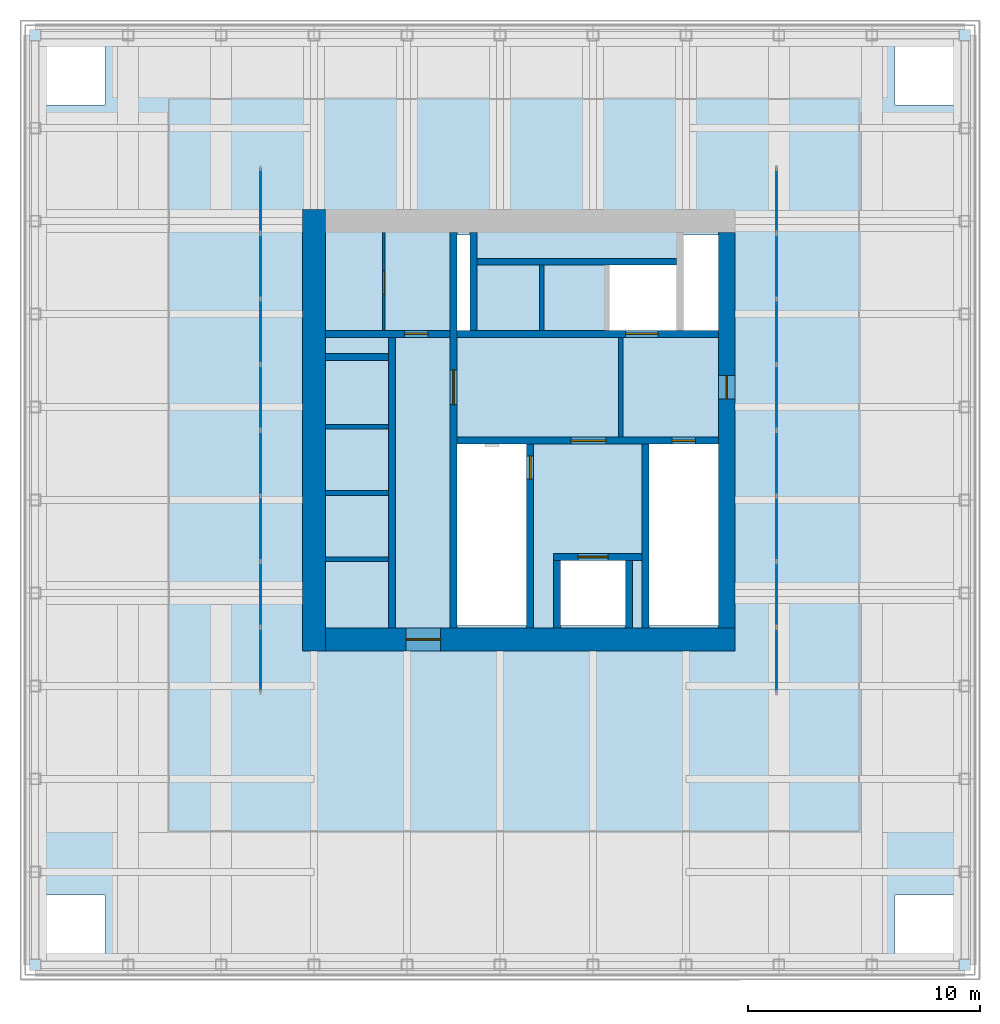
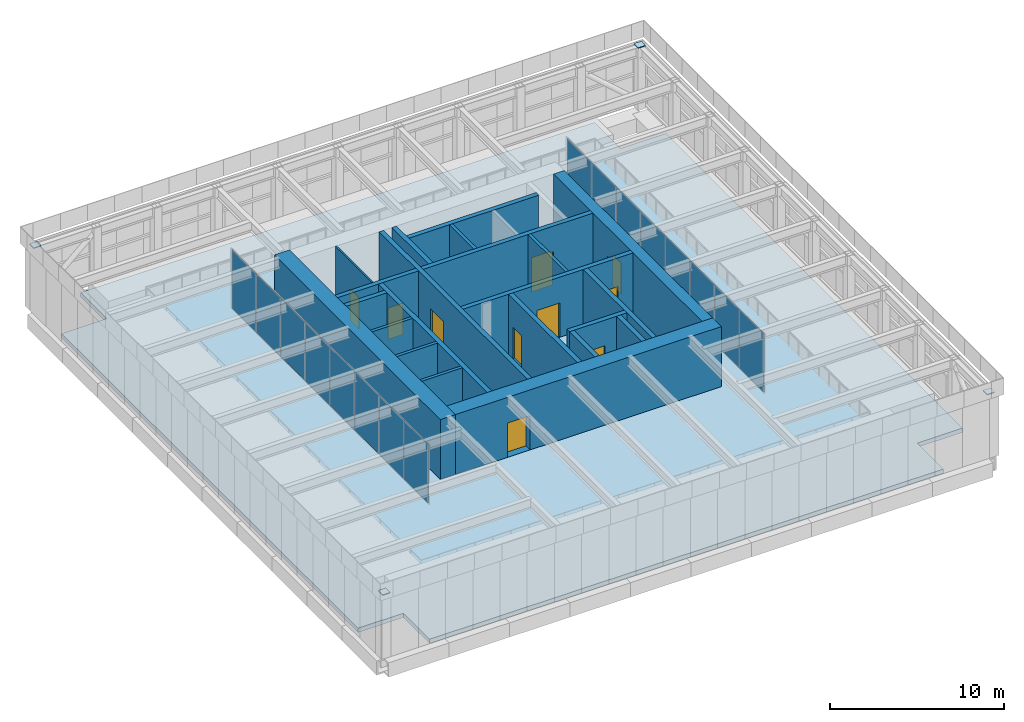
# One storey, part 7 of 11: 22 walls, 20 plates, 10 doors, 1 slab, 10 openings, 2 elements without a shape of their own.
"""IFC4 building model written with IfcOpenShell, lengths in metres."""

from ifc_helpers import new_model, si_unit, direction, frame, frame_2d, origin, origin_2d, place, context, subcontext, project, spatial, polyline, rectangle, outline, extrude, material, layer, layer_set, type_object, element, fill, aggregate, save


model = new_model("IFC4")

# Units and contexts
model_context = context("Model", 3, precision=1e-05, world=origin(), true_north=direction((0.0, 1.0)))
body_context = subcontext(model_context, "Body", "Model", "MODEL_VIEW")
ifc_project = project(units=[si_unit("LENGTHUNIT", "METRE"), si_unit("AREAUNIT", "SQUARE_METRE"), si_unit("VOLUMEUNIT", "CUBIC_METRE"), si_unit("PLANEANGLEUNIT", "RADIAN"), si_unit("MASSUNIT", "GRAM", prefix="KILO")], contexts=[model_context])

# Site, building, storey
site_placement = place(None, origin())
site = spatial("IfcSite", under=ifc_project, at=site_placement, CompositionType="ELEMENT")
building_placement = place(site_placement, origin())
building = spatial("IfcBuilding", under=site, at=building_placement, Name="Rimbunsela Tower", CompositionType="ELEMENT")
storey_placement = place(building_placement, frame((0.0, 0.0, 304.199951171875)))
storey = spatial("IfcBuildingStorey", under=building, at=storey_placement, Name="RF", CompositionType="ELEMENT", Elevation=304.199951171875)

# Plates
ifc_material_1 = material(Name="Steel BJ 55 (fy 410 MPa)", Category="steel")
ifc_layer_1 = layer(ifc_material_1, 0.050048828125)
ifc_layer_set_1 = layer_set([ifc_layer_1], Name="End cap plate 50")
plate_type_1 = type_object("IfcPlateType", Name="End cap plate 50", PredefinedType="SHEET", material=ifc_layer_set_1)
for number, where, z_axis, x_axis, name in (
    (1, (6.0, 4.0, 4.35009765625), (0.0, 0.0, 1.0), (1.0, 0.0, 0.0), "End cap Crown frame post CF1"),
    (2, (6.0, 44.0, 4.35009765625), (0.0, 0.0, 1.0), (1.0, 0.0, 0.0), "End cap Crown frame post CF1"),
    (3, (46.0, 4.0, 4.35009765625), (0.0, 0.0, 1.0), (1.0, 0.0, 0.0), "End cap Crown frame post CF1"),
    (4, (46.0, 44.0, 4.35009765625), (0.0, 0.0, 1.0), (1.0, 0.0, 0.0), "End cap Crown frame post CF1"),
):
    element("IfcPlate", number, at=place(storey_placement, frame(where, z_axis=z_axis, x_axis=x_axis)), inside=storey, type_object=plate_type_1, Name=name, PredefinedType="SHEET", context=body_context, shape_type="SweptSolid", body=[
        extrude(rectangle(XDim=0.5, YDim=0.5, at=origin_2d()), origin(), (0.0, 0.0, 1.0), 0.050048828125),
    ])

# Curtain wall, plates
ifc_material_2 = material(Name="Aluminium curtain wall", Category="aluminium")
curtain_wall_type = type_object("IfcCurtainWallType", Name="Crown glazing", PredefinedType="USERDEFINED", material=ifc_material_2)
curtain_wall_1_placement = place(storey_placement, origin())
curtain_wall_1 = element("IfcCurtainWall", 5, at=curtain_wall_1_placement, inside=storey, type_object=curtain_wall_type, Name="Crown glazing RF", ObjectType="CROWN GLAZING", PredefinedType="USERDEFINED")
ifc_material_3 = material(Name="Laminated double glazing", Category="glass")
ifc_layer_2 = layer(ifc_material_3, 0.0400390625)
ifc_layer_set_2 = layer_set([ifc_layer_2], Name="Glazed panel laminated 40")
plate_type_2 = type_object("IfcPlateType", Name="Glazed panel laminated 40", PredefinedType="CURTAIN_PANEL", material=ifc_layer_set_2)
plate_1_placement = place(storey_placement, frame((37.89990234375, 17.12744140625, 0.06005859375), z_axis=(0.0, 0.0, 1.0), x_axis=(0.0, 1.0, 0.0)))
plate_1 = element("IfcPlate", 6, at=plate_1_placement, type_object=plate_type_2, Name="CW6 panel 1.1", PredefinedType="CURTAIN_PANEL", context=body_context, shape_type="SweptSolid", body=[
    extrude(rectangle(XDim=2.735107421875, YDim=0.0400390625, at=origin_2d()), origin(), (0.0, 0.0, 1.0), 4.080078125),
])
plate_2_placement = place(storey_placement, frame((37.89990234375, 19.9375, 0.06005859375), z_axis=(0.0, 0.0, 1.0), x_axis=(0.0, 1.0, 0.0)))
plate_2 = element("IfcPlate", 7, at=plate_2_placement, type_object=plate_type_2, Name="CW6 panel 2.1", PredefinedType="CURTAIN_PANEL", context=body_context, shape_type="SweptSolid", body=[
    extrude(rectangle(XDim=2.764892578125, YDim=0.0400390625, at=origin_2d()), origin(), (0.0, 0.0, 1.0), 4.080078125),
])
plate_3_placement = place(storey_placement, frame((37.89990234375, 22.762451171875, 0.06005859375), z_axis=(0.0, 0.0, 1.0), x_axis=(0.0, 1.0, 0.0)))
plate_3 = element("IfcPlate", 8, at=plate_3_placement, type_object=plate_type_2, Name="CW6 panel 3.1", PredefinedType="CURTAIN_PANEL", context=body_context, shape_type="SweptSolid", body=[
    extrude(rectangle(XDim=2.764892578125, YDim=0.0400390625, at=origin_2d()), origin(), (0.0, 0.0, 1.0), 4.080078125),
])
plate_4_placement = place(storey_placement, frame((37.89990234375, 25.58740234375, 0.06005859375), z_axis=(0.0, 0.0, 1.0), x_axis=(0.0, 1.0, 0.0)))
plate_4 = element("IfcPlate", 9, at=plate_4_placement, type_object=plate_type_2, Name="CW6 panel 4.1", PredefinedType="CURTAIN_PANEL", context=body_context, shape_type="SweptSolid", body=[
    extrude(rectangle(XDim=2.764892578125, YDim=0.0400390625, at=origin_2d()), origin(), (0.0, 0.0, 1.0), 4.080078125),
])
plate_5_placement = place(storey_placement, frame((37.89990234375, 28.41259765625, 0.06005859375), z_axis=(0.0, 0.0, 1.0), x_axis=(0.0, 1.0, 0.0)))
plate_5 = element("IfcPlate", 10, at=plate_5_placement, type_object=plate_type_2, Name="CW6 panel 5.1", PredefinedType="CURTAIN_PANEL", context=body_context, shape_type="SweptSolid", body=[
    extrude(rectangle(XDim=2.764892578125, YDim=0.0400390625, at=origin_2d()), origin(), (0.0, 0.0, 1.0), 4.080078125),
])
plate_6_placement = place(storey_placement, frame((37.89990234375, 31.237548828125, 0.06005859375), z_axis=(0.0, 0.0, 1.0), x_axis=(0.0, 1.0, 0.0)))
plate_6 = element("IfcPlate", 11, at=plate_6_placement, type_object=plate_type_2, Name="CW6 panel 6.1", PredefinedType="CURTAIN_PANEL", context=body_context, shape_type="SweptSolid", body=[
    extrude(rectangle(XDim=2.764892578125, YDim=0.0400390625, at=origin_2d()), origin(), (0.0, 0.0, 1.0), 4.080078125),
])
plate_7_placement = place(storey_placement, frame((37.89990234375, 34.0625, 0.06005859375), z_axis=(0.0, 0.0, 1.0), x_axis=(0.0, 1.0, 0.0)))
plate_7 = element("IfcPlate", 12, at=plate_7_placement, type_object=plate_type_2, Name="CW6 panel 7.1", PredefinedType="CURTAIN_PANEL", context=body_context, shape_type="SweptSolid", body=[
    extrude(rectangle(XDim=2.764892578125, YDim=0.0400390625, at=origin_2d()), origin(), (0.0, 0.0, 1.0), 4.080078125),
])
plate_8_placement = place(storey_placement, frame((37.89990234375, 36.87255859375, 0.06005859375), z_axis=(0.0, 0.0, 1.0), x_axis=(0.0, 1.0, 0.0)))
plate_8 = element("IfcPlate", 13, at=plate_8_placement, type_object=plate_type_2, Name="CW6 panel 8.1", PredefinedType="CURTAIN_PANEL", context=body_context, shape_type="SweptSolid", body=[
    extrude(rectangle(XDim=2.735107421875, YDim=0.0400390625, at=origin_2d()), origin(), (0.0, 0.0, 1.0), 4.080078125),
])
aggregate(curtain_wall_1, [plate_1, plate_2, plate_3, plate_4, plate_5, plate_6, plate_7, plate_8])

curtain_wall_2_placement = place(storey_placement, origin())
curtain_wall_2 = element("IfcCurtainWall", 14, at=curtain_wall_2_placement, inside=storey, type_object=curtain_wall_type, Name="Crown glazing RF", ObjectType="CROWN GLAZING", PredefinedType="USERDEFINED")
plate_9_placement = place(storey_placement, frame((15.699951171875, 36.87255859375, 0.06005859375), z_axis=(0.0, 0.0, 1.0), x_axis=(0.0, -1.0, 0.0)))
plate_9 = element("IfcPlate", 15, at=plate_9_placement, type_object=plate_type_2, Name="CW6 panel 1.1", PredefinedType="CURTAIN_PANEL", context=body_context, shape_type="SweptSolid", body=[
    extrude(rectangle(XDim=2.735107421875, YDim=0.0400390625, at=origin_2d()), origin(), (0.0, 0.0, 1.0), 4.080078125),
])
plate_10_placement = place(storey_placement, frame((15.699951171875, 34.0625, 0.06005859375), z_axis=(0.0, 0.0, 1.0), x_axis=(0.0, -1.0, 0.0)))
plate_10 = element("IfcPlate", 16, at=plate_10_placement, type_object=plate_type_2, Name="CW6 panel 2.1", PredefinedType="CURTAIN_PANEL", context=body_context, shape_type="SweptSolid", body=[
    extrude(rectangle(XDim=2.764892578125, YDim=0.0400390625, at=origin_2d()), origin(), (0.0, 0.0, 1.0), 4.080078125),
])
plate_11_placement = place(storey_placement, frame((15.699951171875, 31.237548828125, 0.06005859375), z_axis=(0.0, 0.0, 1.0), x_axis=(0.0, -1.0, 0.0)))
plate_11 = element("IfcPlate", 17, at=plate_11_placement, type_object=plate_type_2, Name="CW6 panel 3.1", PredefinedType="CURTAIN_PANEL", context=body_context, shape_type="SweptSolid", body=[
    extrude(rectangle(XDim=2.764892578125, YDim=0.0400390625, at=origin_2d()), origin(), (0.0, 0.0, 1.0), 4.080078125),
])
plate_12_placement = place(storey_placement, frame((15.699951171875, 28.41259765625, 0.06005859375), z_axis=(0.0, 0.0, 1.0), x_axis=(0.0, -1.0, 0.0)))
plate_12 = element("IfcPlate", 18, at=plate_12_placement, type_object=plate_type_2, Name="CW6 panel 4.1", PredefinedType="CURTAIN_PANEL", context=body_context, shape_type="SweptSolid", body=[
    extrude(rectangle(XDim=2.764892578125, YDim=0.0400390625, at=origin_2d()), origin(), (0.0, 0.0, 1.0), 4.080078125),
])
plate_13_placement = place(storey_placement, frame((15.699951171875, 25.58740234375, 0.06005859375), z_axis=(0.0, 0.0, 1.0), x_axis=(0.0, -1.0, 0.0)))
plate_13 = element("IfcPlate", 19, at=plate_13_placement, type_object=plate_type_2, Name="CW6 panel 5.1", PredefinedType="CURTAIN_PANEL", context=body_context, shape_type="SweptSolid", body=[
    extrude(rectangle(XDim=2.764892578125, YDim=0.0400390625, at=origin_2d()), origin(), (0.0, 0.0, 1.0), 4.080078125),
])
plate_14_placement = place(storey_placement, frame((15.699951171875, 22.762451171875, 0.06005859375), z_axis=(0.0, 0.0, 1.0), x_axis=(0.0, -1.0, 0.0)))
plate_14 = element("IfcPlate", 20, at=plate_14_placement, type_object=plate_type_2, Name="CW6 panel 6.1", PredefinedType="CURTAIN_PANEL", context=body_context, shape_type="SweptSolid", body=[
    extrude(rectangle(XDim=2.764892578125, YDim=0.0400390625, at=origin_2d()), origin(), (0.0, 0.0, 1.0), 4.080078125),
])
plate_15_placement = place(storey_placement, frame((15.699951171875, 19.9375, 0.06005859375), z_axis=(0.0, 0.0, 1.0), x_axis=(0.0, -1.0, 0.0)))
plate_15 = element("IfcPlate", 21, at=plate_15_placement, type_object=plate_type_2, Name="CW6 panel 7.1", PredefinedType="CURTAIN_PANEL", context=body_context, shape_type="SweptSolid", body=[
    extrude(rectangle(XDim=2.764892578125, YDim=0.0400390625, at=origin_2d()), origin(), (0.0, 0.0, 1.0), 4.080078125),
])
plate_16_placement = place(storey_placement, frame((15.699951171875, 17.12744140625, 0.06005859375), z_axis=(0.0, 0.0, 1.0), x_axis=(0.0, -1.0, 0.0)))
plate_16 = element("IfcPlate", 22, at=plate_16_placement, type_object=plate_type_2, Name="CW6 panel 8.1", PredefinedType="CURTAIN_PANEL", context=body_context, shape_type="SweptSolid", body=[
    extrude(rectangle(XDim=2.735107421875, YDim=0.0400390625, at=origin_2d()), origin(), (0.0, 0.0, 1.0), 4.080078125),
])
aggregate(curtain_wall_2, [plate_9, plate_10, plate_11, plate_12, plate_13, plate_14, plate_15, plate_16])

# Slab
ifc_material_4 = material(Name="Concrete fc' 35 MPa", Category="concrete")
ifc_layer_3 = layer(ifc_material_4, 0.300048828125)
ifc_layer_set_3 = layer_set([ifc_layer_3], Name="Roof garden slab 300")
slab_type = type_object("IfcSlabType", Name="Roof garden slab 300", PredefinedType="ROOF", material=ifc_layer_set_3)
slab_placement = place(storey_placement, frame((0.0, 0.0, -0.300048828125)))
element("IfcSlab", 23, at=slab_placement, inside=storey, type_object=slab_type, Name="Sky garden roof slab", PredefinedType="ROOF", context=body_context, shape_type="SweptSolid", body=[
    extrude(outline(polyline([(9.0, 4.0), (43.0, 4.0), (43.0, 7.0), (46.0, 7.0), (46.0, 41.0), (43.0, 41.0), (43.0, 44.0), (9.0, 44.0), (9.0, 41.0), (6.0, 41.0), (6.0, 7.0), (9.0, 7.0), (9.0, 4.0)]), holes=[polyline([(27.14990234375, 26.39990234375), (24.14990234375, 26.39990234375), (24.14990234375, 18.60009765625), (27.14990234375, 18.60009765625), (27.14990234375, 26.39990234375)]), polyline([(24.699951171875, 35.39990234375), (24.14990234375, 35.39990234375), (24.14990234375, 31.300048828125), (24.699951171875, 31.300048828125), (24.699951171875, 35.39990234375)]), polyline([(28.60009765625, 21.39990234375), (28.60009765625, 18.60009765625), (31.39990234375, 18.60009765625), (31.39990234375, 21.39990234375), (28.60009765625, 21.39990234375)]), polyline([(30.60009765625, 34.10009765625), (30.60009765625, 31.300048828125), (33.60009765625, 31.300048828125), (33.60009765625, 34.10009765625), (30.60009765625, 34.10009765625)]), polyline([(35.39990234375, 26.39990234375), (32.39990234375, 26.39990234375), (32.39990234375, 18.60009765625), (35.39990234375, 18.60009765625), (35.39990234375, 26.39990234375)]), polyline([(35.39990234375, 35.39990234375), (33.89990234375, 35.39990234375), (33.89990234375, 31.300048828125), (35.39990234375, 31.300048828125), (35.39990234375, 35.39990234375)])]), origin(), (0.0, 0.0, 1.0), 0.300048828125),
])

# Wall, opening, door
ifc_material_5 = material(Name="Concrete fc' 80 MPa", Category="concrete")
ifc_layer_4 = layer(ifc_material_5, 0.300048828125)
ifc_layer_set_4 = layer_set([ifc_layer_4], Name="Core internal wall 300")
wall_type_1 = type_object("IfcWallType", Name="Core internal wall 300", PredefinedType="SHEAR", material=ifc_layer_set_4)
wall_1_placement = place(storey_placement, frame((24.0, 18.5, -0.300048828125), z_axis=(0.0, 0.0, 1.0), x_axis=(0.0, 1.0, 0.0)))
wall_1 = element("IfcWall", 24, at=wall_1_placement, inside=storey, type_object=wall_type_1, Name="Core wall at stair A", PredefinedType="SHEAR", context=body_context, shape_type="SweptSolid", body=[
    extrude(rectangle(XDim=17.0, YDim=0.300048828125, at=frame_2d((8.5, 0.0))), origin(), (0.0, 0.0, 1.0), 4.5),
])
opening_1_placement = place(wall_1_placement, frame((9.60009765625, 0.0, 0.300048828125)))
opening_1 = element("IfcOpeningElement", 25, at=opening_1_placement, cuts=wall_1, Name="Opening D03", PredefinedType="OPENING", context=body_context, shape_type="SweptSolid", body=[
    extrude(rectangle(XDim=1.5, YDim=2.39990234375, at=frame_2d((0.75, 1.199951171875))), frame((0.0, 0.159912109375, 0.0), z_axis=(0.0, -1.0, 0.0), x_axis=(1.0, 0.0, 0.0)), (0.0, 0.0, 1.0), 0.320068359375),
])
ifc_material_6 = material(Name="Steel door, fire rated", Category="steel")
door_type_1 = type_object("IfcDoorType", Name="Core lobby door 1500", OperationType="DOUBLE_DOOR_DOUBLE_SWING", PredefinedType="DOOR", material=ifc_material_6)
door_1_placement = place(opening_1_placement, origin())
door_1 = element("IfcDoor", 26, at=door_1_placement, inside=storey, type_object=door_type_1, Name="West lobby door", OperationType="DOUBLE_DOOR_DOUBLE_SWING", OverallHeight=2.39990234375, OverallWidth=1.5, PredefinedType="DOOR", context=body_context, shape_type="SweptSolid", body=[
    extrude(rectangle(XDim=1.5, YDim=2.39990234375, at=frame_2d((0.75, 1.199951171875))), frame((0.0, 0.02490234375, 0.0), z_axis=(0.0, -1.0, 0.0), x_axis=(1.0, 0.0, 0.0)), (0.0, 0.0, 1.0), 0.050048828125),
])
fill(opening_1, door_1)

# Wall, openings, doors
wall_2_placement = place(storey_placement, frame((24.14990234375, 26.550048828125, -0.300048828125), z_axis=(0.0, 0.0, 1.0), x_axis=(1.0, 0.0, 0.0)))
wall_2 = element("IfcWall", 27, at=wall_2_placement, inside=storey, type_object=wall_type_1, Name="Core wall lobby south", PredefinedType="SHEAR", context=body_context, shape_type="SweptSolid", body=[
    extrude(rectangle(XDim=11.25, YDim=0.300048828125, at=frame_2d((5.625, 0.0))), origin(), (0.0, 0.0, 1.0), 4.5),
])
opening_2_placement = place(wall_2_placement, frame((9.25, 0.0, 0.300048828125)))
opening_2 = element("IfcOpeningElement", 28, at=opening_2_placement, cuts=wall_2, Name="Opening D01", PredefinedType="OPENING", context=body_context, shape_type="SweptSolid", body=[
    extrude(rectangle(XDim=1.0, YDim=2.199951171875, at=frame_2d((0.5, 1.10009765625))), frame((0.0, 0.159912109375, 0.0), z_axis=(0.0, -1.0, 0.0), x_axis=(1.0, 0.0, 0.0)), (0.0, 0.0, 1.0), 0.320068359375),
])
opening_3_placement = place(wall_2_placement, frame((4.89990234375, 0.0, 0.300048828125)))
opening_3 = element("IfcOpeningElement", 29, at=opening_3_placement, cuts=wall_2, Name="Opening D03", PredefinedType="OPENING", context=body_context, shape_type="SweptSolid", body=[
    extrude(rectangle(XDim=1.5, YDim=2.39990234375, at=frame_2d((0.75, 1.199951171875))), frame((0.0, 0.159912109375, 0.0), z_axis=(0.0, -1.0, 0.0), x_axis=(1.0, 0.0, 0.0)), (0.0, 0.0, 1.0), 0.320068359375),
])
door_2_placement = place(opening_3_placement, origin())
door_2 = element("IfcDoor", 30, at=door_2_placement, inside=storey, type_object=door_type_1, Name="Firefighting lobby door", OperationType="DOUBLE_DOOR_DOUBLE_SWING", OverallHeight=2.39990234375, OverallWidth=1.5, PredefinedType="DOOR", context=body_context, shape_type="SweptSolid", body=[
    extrude(rectangle(XDim=1.5, YDim=2.39990234375, at=frame_2d((0.75, 1.199951171875))), frame((0.0, 0.02490234375, 0.0), z_axis=(0.0, -1.0, 0.0), x_axis=(1.0, 0.0, 0.0)), (0.0, 0.0, 1.0), 0.050048828125),
])
fill(opening_3, door_2)
ifc_material_7 = material(Name="Steel door, fire rated", Category="steel")
door_type_2 = type_object("IfcDoorType", Name="Stair door 1000", OperationType="SINGLE_SWING_RIGHT", PredefinedType="DOOR", material=ifc_material_7)
door_3_placement = place(opening_2_placement, frame((1.0, 0.0, 0.0), z_axis=(0.0, 0.0, 1.0), x_axis=(-1.0, 0.0, 0.0)))
door_3 = element("IfcDoor", 31, at=door_3_placement, inside=storey, type_object=door_type_2, Name="Stair B door", OperationType="SINGLE_SWING_RIGHT", OverallHeight=2.199951171875, OverallWidth=1.0, PredefinedType="DOOR", context=body_context, shape_type="SweptSolid", body=[
    extrude(rectangle(XDim=1.0, YDim=2.199951171875, at=frame_2d((0.5, 1.10009765625))), frame((0.0, 0.02490234375, 0.0), z_axis=(0.0, -1.0, 0.0), x_axis=(1.0, 0.0, 0.0)), (0.0, 0.0, 1.0), 0.050048828125),
])
fill(opening_2, door_3)

# Wall, opening, door
wall_3_placement = place(storey_placement, frame((27.300048828125, 18.5, -0.300048828125), z_axis=(0.0, 0.0, 1.0), x_axis=(0.0, 1.0, 0.0)))
wall_3 = element("IfcWall", 32, at=wall_3_placement, inside=storey, type_object=wall_type_1, Name="Stair A enclosure", PredefinedType="SHEAR", context=body_context, shape_type="SweptSolid", body=[
    extrude(rectangle(XDim=7.89990234375, YDim=0.300048828125, at=frame_2d((3.949951171875, 0.0))), origin(), (0.0, 0.0, 1.0), 4.5),
])
opening_4_placement = place(wall_3_placement, frame((6.39990234375, 0.0, 0.300048828125)))
opening_4 = element("IfcOpeningElement", 33, at=opening_4_placement, cuts=wall_3, Name="Opening D01", PredefinedType="OPENING", context=body_context, shape_type="SweptSolid", body=[
    extrude(rectangle(XDim=1.0, YDim=2.199951171875, at=frame_2d((0.5, 1.10009765625))), frame((0.0, 0.159912109375, 0.0), z_axis=(0.0, -1.0, 0.0), x_axis=(1.0, 0.0, 0.0)), (0.0, 0.0, 1.0), 0.320068359375),
])
door_4_placement = place(opening_4_placement, origin())
door_4 = element("IfcDoor", 34, at=door_4_placement, inside=storey, type_object=door_type_2, Name="Stair A door", OperationType="SINGLE_SWING_RIGHT", OverallHeight=2.199951171875, OverallWidth=1.0, PredefinedType="DOOR", context=body_context, shape_type="SweptSolid", body=[
    extrude(rectangle(XDim=1.0, YDim=2.199951171875, at=frame_2d((0.5, 1.10009765625))), frame((0.0, 0.02490234375, 0.0), z_axis=(0.0, -1.0, 0.0), x_axis=(1.0, 0.0, 0.0)), (0.0, 0.0, 1.0), 0.050048828125),
])
fill(opening_4, door_4)

# Walls
wall_4_placement = place(storey_placement, frame((32.25, 18.5, -0.300048828125), z_axis=(0.0, 0.0, 1.0), x_axis=(0.0, 1.0, 0.0)))
element("IfcWall", 35, at=wall_4_placement, inside=storey, type_object=wall_type_1, Name="Stair B enclosure", PredefinedType="SHEAR", context=body_context, shape_type="SweptSolid", body=[
    extrude(rectangle(XDim=7.89990234375, YDim=0.300048828125, at=frame_2d((3.949951171875, 0.0))), origin(), (0.0, 0.0, 1.0), 4.5),
])
for number, where, z_axis, x_axis, name in (
    (36, (28.449951171875, 18.5, -0.300048828125), (0.0, 0.0, 1.0), (0.0, 1.0, 0.0), "Firefighting lift shaft west"),
    (37, (31.550048828125, 18.5, -0.300048828125), (0.0, 0.0, 1.0), (0.0, 1.0, 0.0), "Firefighting lift shaft east"),
):
    element("IfcWall", number, at=place(storey_placement, frame(where, z_axis=z_axis, x_axis=x_axis)), inside=storey, type_object=wall_type_1, Name=name, PredefinedType="SHEAR", context=body_context, shape_type="SweptSolid", body=[
        extrude(rectangle(XDim=2.89990234375, YDim=0.300048828125, at=frame_2d((1.449951171875, 0.0))), origin(), (0.0, 0.0, 1.0), 4.5),
    ])

# Wall, opening, door
wall_5_placement = place(storey_placement, frame((28.300048828125, 21.550048828125, -0.300048828125), z_axis=(0.0, 0.0, 1.0), x_axis=(1.0, 0.0, 0.0)))
wall_5 = element("IfcWall", 38, at=wall_5_placement, inside=storey, type_object=wall_type_1, Name="Firefighting lift shaft front", PredefinedType="SHEAR", context=body_context, shape_type="SweptSolid", body=[
    extrude(rectangle(XDim=3.800048828125, YDim=0.300048828125, at=frame_2d((1.89990234375, 0.0))), origin(), (0.0, 0.0, 1.0), 4.5),
])
opening_5_placement = place(wall_5_placement, frame((1.050048828125, 0.0, 0.300048828125)))
opening_5 = element("IfcOpeningElement", 39, at=opening_5_placement, cuts=wall_5, Name="Opening LD2", PredefinedType="OPENING", context=body_context, shape_type="SweptSolid", body=[
    extrude(rectangle(XDim=1.300048828125, YDim=2.39990234375, at=frame_2d((0.64990234375, 1.199951171875))), frame((0.0, 0.159912109375, 0.0), z_axis=(0.0, -1.0, 0.0), x_axis=(1.0, 0.0, 0.0)), (0.0, 0.0, 1.0), 0.320068359375),
])
ifc_material_8 = material(Name="Steel door, fire rated", Category="steel")
door_type_3 = type_object("IfcDoorType", Name="Lift landing door 1300", OperationType="DOUBLE_DOOR_SLIDING", PredefinedType="DOOR", material=ifc_material_8)
door_5_placement = place(opening_5_placement, origin())
door_5 = element("IfcDoor", 40, at=door_5_placement, inside=storey, type_object=door_type_3, Name="Lift landing door FL1", OperationType="DOUBLE_DOOR_SLIDING", OverallHeight=2.39990234375, OverallWidth=1.300048828125, PredefinedType="DOOR", context=body_context, shape_type="SweptSolid", body=[
    extrude(rectangle(XDim=1.300048828125, YDim=2.39990234375, at=frame_2d((0.64990234375, 1.199951171875))), frame((0.0, 0.02490234375, 0.0), z_axis=(0.0, -1.0, 0.0), x_axis=(1.0, 0.0, 0.0)), (0.0, 0.0, 1.0), 0.050048828125),
])
fill(opening_5, door_5)

wall_6_placement = place(storey_placement, frame((24.14990234375, 31.14990234375, -0.300048828125), z_axis=(0.0, 0.0, 1.0), x_axis=(1.0, 0.0, 0.0)))
wall_6 = element("IfcWall", 41, at=wall_6_placement, inside=storey, type_object=wall_type_1, Name="Lift shaft front north", PredefinedType="SHEAR", context=body_context, shape_type="SweptSolid", body=[
    extrude(rectangle(XDim=11.25, YDim=0.300048828125, at=frame_2d((5.625, 0.0))), origin(), (0.0, 0.0, 1.0), 4.5),
])
opening_6_placement = place(wall_6_placement, frame((7.25, 0.0, 0.300048828125)))
opening_6 = element("IfcOpeningElement", 42, at=opening_6_placement, cuts=wall_6, Name="Opening LD3", PredefinedType="OPENING", context=body_context, shape_type="SweptSolid", body=[
    extrude(rectangle(XDim=1.39990234375, YDim=2.39990234375, at=frame_2d((0.699951171875, 1.199951171875))), frame((0.0, 0.159912109375, 0.0), z_axis=(0.0, -1.0, 0.0), x_axis=(1.0, 0.0, 0.0)), (0.0, 0.0, 1.0), 0.320068359375),
])
ifc_material_9 = material(Name="Steel door, fire rated", Category="steel")
door_type_4 = type_object("IfcDoorType", Name="Lift landing door 1400", OperationType="DOUBLE_DOOR_SLIDING", PredefinedType="DOOR", material=ifc_material_9)
door_6_placement = place(opening_6_placement, origin())
door_6 = element("IfcDoor", 43, at=door_6_placement, inside=storey, type_object=door_type_4, Name="Lift landing door FL2", OperationType="DOUBLE_DOOR_SLIDING", OverallHeight=2.39990234375, OverallWidth=1.39990234375, PredefinedType="DOOR", context=body_context, shape_type="SweptSolid", body=[
    extrude(rectangle(XDim=1.39990234375, YDim=2.39990234375, at=frame_2d((0.699951171875, 1.199951171875))), frame((0.0, 0.02490234375, 0.0), z_axis=(0.0, -1.0, 0.0), x_axis=(1.0, 0.0, 0.0)), (0.0, 0.0, 1.0), 0.050048828125),
])
fill(opening_6, door_6)

# Wall
wall_7_placement = place(storey_placement, frame((21.35009765625, 18.5, -0.300048828125), z_axis=(0.0, 0.0, 1.0), x_axis=(0.0, 1.0, 0.0)))
element("IfcWall", 44, at=wall_7_placement, inside=storey, type_object=wall_type_1, Name="Lift shaft front west", PredefinedType="SHEAR", context=body_context, shape_type="SweptSolid", body=[
    extrude(rectangle(XDim=12.5, YDim=0.300048828125, at=frame_2d((6.25, 0.0))), origin(), (0.0, 0.0, 1.0), 4.5),
])

# Wall, opening, door
wall_8_placement = place(storey_placement, frame((18.5, 31.14990234375, -0.300048828125), z_axis=(0.0, 0.0, 1.0), x_axis=(1.0, 0.0, 0.0)))
wall_8 = element("IfcWall", 45, at=wall_8_placement, inside=storey, type_object=wall_type_1, Name="Store wall", PredefinedType="SHEAR", context=body_context, shape_type="SweptSolid", body=[
    extrude(rectangle(XDim=5.35009765625, YDim=0.300048828125, at=frame_2d((2.675048828125, 0.0))), origin(), (0.0, 0.0, 1.0), 4.5),
])
opening_7_placement = place(wall_8_placement, frame((3.39990234375, 0.0, 0.300048828125)))
opening_7 = element("IfcOpeningElement", 46, at=opening_7_placement, cuts=wall_8, Name="Opening D19", PredefinedType="OPENING", context=body_context, shape_type="SweptSolid", body=[
    extrude(rectangle(XDim=1.0, YDim=2.199951171875, at=frame_2d((0.5, 1.10009765625))), frame((0.0, 0.159912109375, 0.0), z_axis=(0.0, -1.0, 0.0), x_axis=(1.0, 0.0, 0.0)), (0.0, 0.0, 1.0), 0.320068359375),
])
ifc_material_10 = material(Name="Steel door, fire rated", Category="steel")
door_type_5 = type_object("IfcDoorType", Name="Service door 1000 fire rated", OperationType="SINGLE_SWING_LEFT", PredefinedType="DOOR", material=ifc_material_10)
door_7_placement = place(opening_7_placement, origin())
door_7 = element("IfcDoor", 47, at=door_7_placement, inside=storey, type_object=door_type_5, Name="IT room door", OperationType="SINGLE_SWING_LEFT", OverallHeight=2.199951171875, OverallWidth=1.0, PredefinedType="DOOR", context=body_context, shape_type="SweptSolid", body=[
    extrude(rectangle(XDim=1.0, YDim=2.199951171875, at=frame_2d((0.5, 1.10009765625))), frame((0.0, 0.02490234375, 0.0), z_axis=(0.0, -1.0, 0.0), x_axis=(1.0, 0.0, 0.0)), (0.0, 0.0, 1.0), 0.050048828125),
])
fill(opening_7, door_7)

# Walls
wall_9_placement = place(storey_placement, frame((18.5, 30.14990234375, -0.300048828125), z_axis=(0.0, 0.0, 1.0), x_axis=(1.0, 0.0, 0.0)))
element("IfcWall", 48, at=wall_9_placement, inside=storey, type_object=wall_type_1, Name="Lift shaft rear west", PredefinedType="SHEAR", context=body_context, shape_type="SweptSolid", body=[
    extrude(rectangle(XDim=2.699951171875, YDim=0.300048828125, at=frame_2d((1.35009765625, 0.0))), origin(), (0.0, 0.0, 1.0), 4.5),
])
wall_10_placement = place(storey_placement, frame((24.85009765625, 31.300048828125, -0.300048828125), z_axis=(0.0, 0.0, 1.0), x_axis=(0.0, 1.0, 0.0)))
element("IfcWall", 49, at=wall_10_placement, inside=storey, type_object=wall_type_1, Name="Riser wall", PredefinedType="SHEAR", context=body_context, shape_type="SweptSolid", body=[
    extrude(rectangle(XDim=4.199951171875, YDim=0.300048828125, at=frame_2d((2.10009765625, 0.0))), origin(), (0.0, 0.0, 1.0), 4.5),
])
wall_11_placement = place(storey_placement, frame((25.0, 34.25, -0.300048828125), z_axis=(0.0, 0.0, 1.0), x_axis=(1.0, 0.0, 0.0)))
element("IfcWall", 50, at=wall_11_placement, inside=storey, type_object=wall_type_1, Name="Lift shaft rear north", PredefinedType="SHEAR", context=body_context, shape_type="SweptSolid", body=[
    extrude(rectangle(XDim=8.60009765625, YDim=0.300048828125, at=frame_2d((4.300048828125, 0.0))), origin(), (0.0, 0.0, 1.0), 4.5),
])

# Wall, opening, door
ifc_material_11 = material(Name="Concrete blockwork", Category="masonry")
ifc_layer_5 = layer(ifc_material_11, 0.10009765625)
ifc_layer_set_5 = layer_set([ifc_layer_5], Name="Core room partition 100")
wall_type_2 = type_object("IfcWallType", Name="Core room partition 100", PredefinedType="PARTITIONING", material=ifc_layer_set_5)
wall_12_placement = place(storey_placement, frame((21.0, 31.300048828125, 0.0), z_axis=(0.0, 0.0, 1.0), x_axis=(0.0, 1.0, 0.0)))
wall_12 = element("IfcWall", 51, at=wall_12_placement, inside=storey, type_object=wall_type_2, Name="Equipment store wall", PredefinedType="PARTITIONING", context=body_context, shape_type="SweptSolid", body=[
    extrude(rectangle(XDim=4.199951171875, YDim=0.10009765625, at=frame_2d((2.10009765625, 0.0))), origin(), (0.0, 0.0, 1.0), 4.199951171875),
])
opening_8_placement = place(wall_12_placement, frame((1.550048828125, 0.0, 0.0)))
opening_8 = element("IfcOpeningElement", 52, at=opening_8_placement, cuts=wall_12, Name="Opening D19", PredefinedType="OPENING", context=body_context, shape_type="SweptSolid", body=[
    extrude(rectangle(XDim=1.0, YDim=2.199951171875, at=frame_2d((0.5, 1.10009765625))), frame((0.0, 0.06005859375, 0.0), z_axis=(0.0, -1.0, 0.0), x_axis=(1.0, 0.0, 0.0)), (0.0, 0.0, 1.0), 0.1201171875),
])
door_8_placement = place(opening_8_placement, origin())
door_8 = element("IfcDoor", 53, at=door_8_placement, inside=storey, type_object=door_type_5, Name="Equipment store door", OperationType="SINGLE_SWING_LEFT", OverallHeight=2.199951171875, OverallWidth=1.0, PredefinedType="DOOR", context=body_context, shape_type="SweptSolid", body=[
    extrude(rectangle(XDim=1.0, YDim=2.199951171875, at=frame_2d((0.5, 1.10009765625))), frame((0.0, 0.02490234375, 0.0), z_axis=(0.0, -1.0, 0.0), x_axis=(1.0, 0.0, 0.0)), (0.0, 0.0, 1.0), 0.050048828125),
])
fill(opening_8, door_8)

# Wall
ifc_material_12 = material(Name="Concrete fc' 80 MPa", Category="concrete")
ifc_layer_6 = layer(ifc_material_12, 1.0)
ifc_layer_set_6 = layer_set([ifc_layer_6], Name="Core wall 1000")
wall_type_3 = type_object("IfcWallType", Name="Core wall 1000", PredefinedType="SHEAR", material=ifc_layer_set_6)
wall_13_placement = place(storey_placement, frame((18.0, 17.5, -0.300048828125), z_axis=(0.0, 0.0, 1.0), x_axis=(0.0, 1.0, 0.0)))
element("IfcWall", 54, at=wall_13_placement, inside=storey, type_object=wall_type_3, Name="Core wall west", PredefinedType="SHEAR", context=body_context, shape_type="SweptSolid", body=[
    extrude(rectangle(XDim=19.0, YDim=1.0, at=frame_2d((9.5, 0.0))), origin(), (0.0, 0.0, 1.0), 4.5),
])

# Wall, opening, door
wall_14_placement = place(storey_placement, frame((18.5, 18.0, -0.300048828125), z_axis=(0.0, 0.0, 1.0), x_axis=(1.0, 0.0, 0.0)))
wall_14 = element("IfcWall", 55, at=wall_14_placement, inside=storey, type_object=wall_type_3, Name="Core wall south", PredefinedType="SHEAR", context=body_context, shape_type="SweptSolid", body=[
    extrude(rectangle(XDim=17.60009765625, YDim=1.0, at=frame_2d((8.800048828125, 0.0))), origin(), (0.0, 0.0, 1.0), 4.5),
])
opening_9_placement = place(wall_14_placement, frame((3.449951171875, 0.0, 0.300048828125)))
opening_9 = element("IfcOpeningElement", 56, at=opening_9_placement, cuts=wall_14, Name="Opening D03", PredefinedType="OPENING", context=body_context, shape_type="SweptSolid", body=[
    extrude(rectangle(XDim=1.5, YDim=2.39990234375, at=frame_2d((0.75, 1.199951171875))), frame((0.0, 0.510009765625, 0.0), z_axis=(0.0, -1.0, 0.0), x_axis=(1.0, 0.0, 0.0)), (0.0, 0.0, 1.0), 1.02001953125),
])
door_9_placement = place(opening_9_placement, origin())
door_9 = element("IfcDoor", 57, at=door_9_placement, inside=storey, type_object=door_type_1, Name="Core door south", OperationType="DOUBLE_DOOR_DOUBLE_SWING", OverallHeight=2.39990234375, OverallWidth=1.5, PredefinedType="DOOR", context=body_context, shape_type="SweptSolid", body=[
    extrude(rectangle(XDim=1.5, YDim=2.39990234375, at=frame_2d((0.75, 1.199951171875))), frame((0.0, 0.02490234375, 0.0), z_axis=(0.0, -1.0, 0.0), x_axis=(1.0, 0.0, 0.0)), (0.0, 0.0, 1.0), 0.050048828125),
])
fill(opening_9, door_9)

ifc_material_13 = material(Name="Concrete fc' 80 MPa", Category="concrete")
ifc_layer_7 = layer(ifc_material_13, 0.699951171875)
ifc_layer_set_7 = layer_set([ifc_layer_7], Name="Core wall 700 east")
wall_type_4 = type_object("IfcWallType", Name="Core wall 700 east", PredefinedType="SHEAR", material=ifc_layer_set_7)
wall_15_placement = place(storey_placement, frame((35.75, 18.5, -0.300048828125), z_axis=(0.0, 0.0, 1.0), x_axis=(0.0, 1.0, 0.0)))
wall_15 = element("IfcWall", 58, at=wall_15_placement, inside=storey, type_object=wall_type_4, Name="Core wall east", PredefinedType="SHEAR", context=body_context, shape_type="SweptSolid", body=[
    extrude(rectangle(XDim=17.0, YDim=0.699951171875, at=frame_2d((8.5, 0.0))), origin(), (0.0, 0.0, 1.0), 4.5),
])
opening_10_placement = place(wall_15_placement, frame((9.85009765625, 0.0, 0.300048828125)))
opening_10 = element("IfcOpeningElement", 59, at=opening_10_placement, cuts=wall_15, Name="Opening D01", PredefinedType="OPENING", context=body_context, shape_type="SweptSolid", body=[
    extrude(rectangle(XDim=1.0, YDim=2.199951171875, at=frame_2d((0.5, 1.10009765625))), frame((0.0, 0.35986328125, 0.0), z_axis=(0.0, -1.0, 0.0), x_axis=(1.0, 0.0, 0.0)), (0.0, 0.0, 1.0), 0.719970703125),
])
door_10_placement = place(opening_10_placement, origin())
door_10 = element("IfcDoor", 60, at=door_10_placement, inside=storey, type_object=door_type_2, Name="Firefighting lobby 2 door", OperationType="SINGLE_SWING_RIGHT", OverallHeight=2.199951171875, OverallWidth=1.0, PredefinedType="DOOR", context=body_context, shape_type="SweptSolid", body=[
    extrude(rectangle(XDim=1.0, YDim=2.199951171875, at=frame_2d((0.5, 1.10009765625))), frame((0.0, 0.02490234375, 0.0), z_axis=(0.0, -1.0, 0.0), x_axis=(1.0, 0.0, 0.0)), (0.0, 0.0, 1.0), 0.050048828125),
])
fill(opening_10, door_10)

# Walls
ifc_material_14 = material(Name="Concrete blockwork", Category="masonry")
ifc_layer_8 = layer(ifc_material_14, 0.199951171875)
ifc_layer_set_8 = layer_set([ifc_layer_8], Name="Lift shaft wall 200")
wall_type_5 = type_object("IfcWallType", Name="Lift shaft wall 200", PredefinedType="SOLIDWALL", material=ifc_layer_set_8)
wall_16_placement = place(storey_placement, frame((27.800048828125, 31.300048828125, -0.300048828125), z_axis=(0.0, 0.0, 1.0), x_axis=(0.0, 1.0, 0.0)))
element("IfcWall", 61, at=wall_16_placement, inside=storey, type_object=wall_type_5, Name="Lift shaft separation", PredefinedType="SOLIDWALL", context=body_context, shape_type="SweptSolid", body=[
    extrude(rectangle(XDim=2.800048828125, YDim=0.199951171875, at=frame_2d((1.39990234375, 0.0))), origin(), (0.0, 0.0, 1.0), 4.5),
])
for number, where, z_axis, x_axis, name in (
    (62, (18.5, 21.449951171875, -0.300048828125), (0.0, 0.0, 1.0), (1.0, 0.0, 0.0), "Lift shaft separation"),
    (63, (18.5, 24.300048828125, -0.300048828125), (0.0, 0.0, 1.0), (1.0, 0.0, 0.0), "Lift shaft separation"),
    (64, (18.5, 27.14990234375, -0.300048828125), (0.0, 0.0, 1.0), (1.0, 0.0, 0.0), "Lift shaft separation"),
):
    element("IfcWall", number, at=place(storey_placement, frame(where, z_axis=z_axis, x_axis=x_axis)), inside=storey, type_object=wall_type_5, Name=name, PredefinedType="SOLIDWALL", context=body_context, shape_type="SweptSolid", body=[
        extrude(rectangle(XDim=2.699951171875, YDim=0.199951171875, at=frame_2d((1.35009765625, 0.0))), origin(), (0.0, 0.0, 1.0), 4.5),
    ])
wall_17_placement = place(storey_placement, frame((31.199951171875, 26.699951171875, 0.0), z_axis=(0.0, 0.0, 1.0), x_axis=(0.0, 1.0, 0.0)))
element("IfcWall", 65, at=wall_17_placement, inside=storey, type_object=wall_type_5, Name="Firefighting lobby 2 wall", PredefinedType="SOLIDWALL", context=body_context, shape_type="SweptSolid", body=[
    extrude(rectangle(XDim=4.300048828125, YDim=0.199951171875, at=frame_2d((2.14990234375, 0.0))), origin(), (0.0, 0.0, 1.0), 4.199951171875),
])

save(model, "model.ifc")
